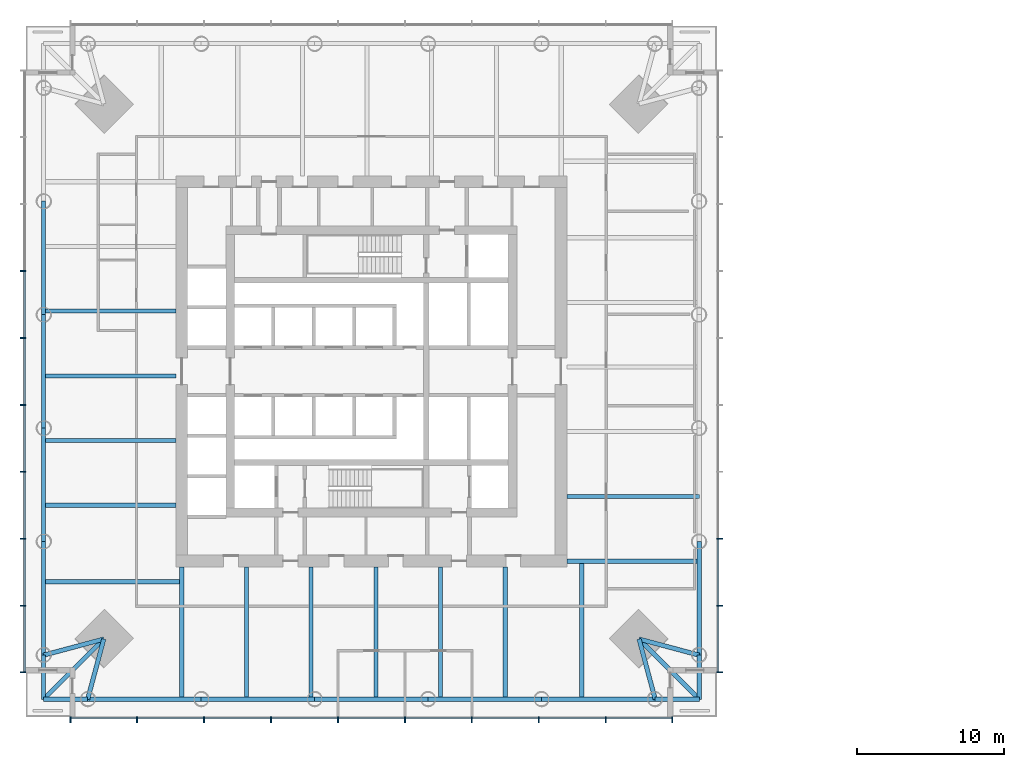
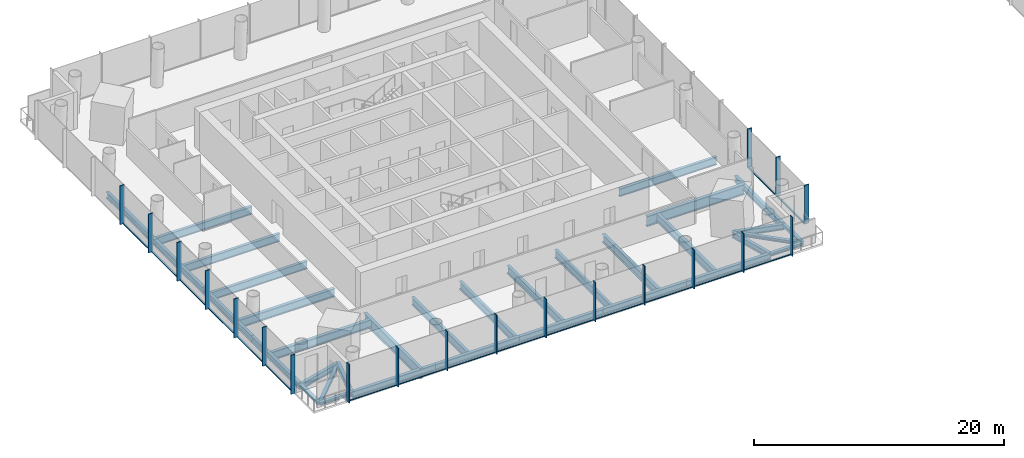
# One storey, part 2 of 18: 37 members, 34 beams, 3 elements without a shape of their own.
"""IFC4 building model written with IfcOpenShell, lengths in metres."""

from ifc_helpers import new_model, si_unit, direction, frame, origin, origin_2d, place, context, subcontext, project, spatial, rectangle, i_section, extrude, material, material_profile, profile_set, type_object, element, aggregate, save


model = new_model("IFC4")

# Units and contexts
model_context = context("Model", 3, precision=1e-05, world=origin(), true_north=direction((0.0, 1.0)))
body_context = subcontext(model_context, "Body", "Model", "MODEL_VIEW")
ifc_project = project(units=[si_unit("LENGTHUNIT", "METRE"), si_unit("AREAUNIT", "SQUARE_METRE"), si_unit("VOLUMEUNIT", "CUBIC_METRE"), si_unit("PLANEANGLEUNIT", "RADIAN"), si_unit("MASSUNIT", "GRAM", prefix="KILO")], contexts=[model_context])

# Site, building, storey
site_placement = place(None, origin())
site = spatial("IfcSite", under=ifc_project, at=site_placement, CompositionType="ELEMENT")
building_placement = place(site_placement, origin())
building = spatial("IfcBuilding", under=site, at=building_placement, Name="Ostroluk Exchange", CompositionType="ELEMENT")
storey_placement = place(building_placement, frame((0.0, 0.0, 74.199951171875)))
storey = spatial("IfcBuildingStorey", under=building, at=storey_placement, Name="L18", CompositionType="ELEMENT", Elevation=74.199951171875)

# Beams
ifc_material_1 = material(Name="Steel S355", Category="steel")
ifc_material_profile_1 = material_profile(ifc_material_1, i_section(OverallWidth=0.300048828125, OverallDepth=0.300048828125, WebThickness=0.010986328125, FlangeThickness=0.01904296875, FilletRadius=0.027099609375, at=origin_2d()), Name="HEB 300")
ifc_profile_set_1 = profile_set([ifc_material_profile_1], Name="Steel S355")
beam_type_1 = type_object("IfcBeamType", Name="Balcony beam HEB 300", PredefinedType="BEAM", material=ifc_profile_set_1)
for number, where, z_axis, x_axis, name in (
    (1, (22.699951171875, 26.699951171875, -0.329833984375), (0.0, -1.0, 0.0), (1.0, 0.0, 0.0), "T1 west balcony beam a"),
    (2, (25.699951171875, 23.699951171875, -0.329833984375), (-1.0, 0.0, 0.0), (0.0, -1.0, 0.0), "T1 west balcony beam b"),
):
    element("IfcBeam", number, at=place(storey_placement, frame(where, z_axis=z_axis, x_axis=x_axis)), inside=storey, type_object=beam_type_1, Name=name, PredefinedType="BEAM", context=body_context, shape_type="SweptSolid", body=[
        extrude(i_section(OverallWidth=0.300048828125, OverallDepth=0.300048828125, WebThickness=0.010986328125, FlangeThickness=0.01904296875, FilletRadius=0.027099609375, at=origin_2d()), origin(), (0.0, 0.0, 1.0), 3.0),
    ])
beam_1_placement = place(storey_placement, frame((26.800048828125, 27.800048828125, -0.329833984375), z_axis=(-0.707106781187, -0.707106781187, 0.0), x_axis=(0.707106781187, -0.707106781187, 0.0)))
element("IfcBeam", 3, at=beam_1_placement, inside=storey, type_object=beam_type_1, Name="T1 west balcony beam c", PredefinedType="BEAM", context=body_context, shape_type="SweptSolid", body=[
    extrude(i_section(OverallWidth=0.300048828125, OverallDepth=0.300048828125, WebThickness=0.010986328125, FlangeThickness=0.01904296875, FilletRadius=0.027099609375, at=origin_2d()), origin(), (0.0, 0.0, 1.0), 5.79833984375),
])
for number, where, z_axis, x_axis, name in (
    (4, (64.300048828125, 23.699951171875, -0.329833984375), (1.0, 0.0, 0.0), (0.0, 1.0, 0.0), "T1 south balcony beam a"),
    (5, (67.300048828125, 26.699951171875, -0.329833984375), (0.0, -1.0, 0.0), (1.0, 0.0, 0.0), "T1 south balcony beam b"),
):
    element("IfcBeam", number, at=place(storey_placement, frame(where, z_axis=z_axis, x_axis=x_axis)), inside=storey, type_object=beam_type_1, Name=name, PredefinedType="BEAM", context=body_context, shape_type="SweptSolid", body=[
        extrude(i_section(OverallWidth=0.300048828125, OverallDepth=0.300048828125, WebThickness=0.010986328125, FlangeThickness=0.01904296875, FilletRadius=0.027099609375, at=origin_2d()), origin(), (0.0, 0.0, 1.0), 3.0),
    ])
beam_2_placement = place(storey_placement, frame((63.199951171875, 27.800048828125, -0.329833984375), z_axis=(0.707106781187, -0.707106781187, 0.0), x_axis=(0.707106781187, 0.707106781187, 0.0)))
element("IfcBeam", 6, at=beam_2_placement, inside=storey, type_object=beam_type_1, Name="T1 south balcony beam c", PredefinedType="BEAM", context=body_context, shape_type="SweptSolid", body=[
    extrude(i_section(OverallWidth=0.300048828125, OverallDepth=0.300048828125, WebThickness=0.010986328125, FlangeThickness=0.01904296875, FilletRadius=0.027099609375, at=origin_2d()), origin(), (0.0, 0.0, 1.0), 5.79833984375),
])
ifc_material_2 = material(Name="Steel S355", Category="steel")
ifc_material_profile_2 = material_profile(ifc_material_2, i_section(OverallWidth=0.300048828125, OverallDepth=0.550048828125, WebThickness=0.014892578125, FlangeThickness=0.029052734375, FilletRadius=0.027099609375, at=origin_2d()), Name="HEB 550")
ifc_profile_set_2 = profile_set([ifc_material_profile_2], Name="Steel S355")
beam_type_2 = type_object("IfcBeamType", Name="Corner edge beam HEB 550", PredefinedType="SPANDREL", material=ifc_profile_set_2)
for number, where, z_axis, x_axis, name in (
    (7, (26.800048828125, 27.800048828125, -0.454833984375), (-0.965838624319, -0.259144268261, 0.0), (0.259144268261, -0.965838624319, 0.0), "T1 west corner edge beam a"),
    (8, (26.800048828125, 27.800048828125, -0.454833984375), (-0.259144268261, -0.965838624319, 0.0), (0.965838624319, -0.259144268261, 0.0), "T1 west corner edge beam b"),
    (9, (63.199951171875, 27.800048828125, -0.454833984375), (0.259144268261, -0.965838624319, 0.0), (0.965838624319, 0.259144268261, 0.0), "T1 south corner edge beam a"),
    (10, (63.199951171875, 27.800048828125, -0.454833984375), (0.965838624319, -0.259144268261, 0.0), (0.259144268261, 0.965838624319, 0.0), "T1 south corner edge beam b"),
):
    element("IfcBeam", number, at=place(storey_placement, frame(where, z_axis=z_axis, x_axis=x_axis)), inside=storey, type_object=beam_type_2, Name=name, PredefinedType="SPANDREL", context=body_context, shape_type="SweptSolid", body=[
        extrude(i_section(OverallWidth=0.300048828125, OverallDepth=0.550048828125, WebThickness=0.014892578125, FlangeThickness=0.029052734375, FilletRadius=0.027099609375, at=origin_2d()), origin(), (0.0, 0.0, 1.0), 4.2451171875),
    ])
ifc_material_3 = material(Name="Steel S355", Category="steel")
ifc_material_profile_3 = material_profile(ifc_material_3, i_section(OverallWidth=0.302978515625, OverallDepth=0.81396484375, WebThickness=0.02099609375, FlangeThickness=0.0400390625, FilletRadius=0.030029296875, at=origin_2d()), Name="HEM 800")
ifc_profile_set_3 = profile_set([ifc_material_profile_3], Name="Steel S355")
beam_type_3 = type_object("IfcBeamType", Name="Floor beam HEM 800", PredefinedType="BEAM", material=ifc_profile_set_3)
beam_3_placement = place(storey_placement, frame((31.699951171875, 36.89990234375, -0.5869140625), z_axis=(-1.0, 0.0, 0.0), x_axis=(0.0, -1.0, 0.0)))
element("IfcBeam", 11, at=beam_3_placement, inside=storey, type_object=beam_type_3, Name="T1 west floor beam 5", PredefinedType="BEAM", context=body_context, shape_type="SweptSolid", body=[
    extrude(i_section(OverallWidth=0.302978515625, OverallDepth=0.81396484375, WebThickness=0.02099609375, FlangeThickness=0.0400390625, FilletRadius=0.030029296875, at=origin_2d()), origin(), (0.0, 0.0, 1.0), 9.0),
])
beam_4_placement = place(storey_placement, frame((32.10009765625, 31.699951171875, -0.5869140625), z_axis=(-1.0, 0.0, 0.0), x_axis=(0.0, -1.0, 0.0)))
element("IfcBeam", 12, at=beam_4_placement, inside=storey, type_object=beam_type_3, Name="T1 west floor beam 6", PredefinedType="BEAM", context=body_context, shape_type="SweptSolid", body=[
    extrude(i_section(OverallWidth=0.302978515625, OverallDepth=0.81396484375, WebThickness=0.02099609375, FlangeThickness=0.0400390625, FilletRadius=0.030029296875, at=origin_2d()), origin(), (0.0, 0.0, 1.0), 9.400146484375),
])
beam_5_placement = place(storey_placement, frame((54.10009765625, 32.699951171875, -0.5869140625), z_axis=(0.0, -1.0, 0.0), x_axis=(1.0, 0.0, 0.0)))
element("IfcBeam", 13, at=beam_5_placement, inside=storey, type_object=beam_type_3, Name="T1 south floor beam 5", PredefinedType="BEAM", context=body_context, shape_type="SweptSolid", body=[
    extrude(i_section(OverallWidth=0.302978515625, OverallDepth=0.81396484375, WebThickness=0.02099609375, FlangeThickness=0.0400390625, FilletRadius=0.030029296875, at=origin_2d()), origin(), (0.0, 0.0, 1.0), 9.0),
])
beam_6_placement = place(storey_placement, frame((59.300048828125, 33.10009765625, -0.5869140625), z_axis=(0.0, -1.0, 0.0), x_axis=(1.0, 0.0, 0.0)))
element("IfcBeam", 14, at=beam_6_placement, inside=storey, type_object=beam_type_3, Name="T1 south floor beam 6", PredefinedType="BEAM", context=body_context, shape_type="SweptSolid", body=[
    extrude(i_section(OverallWidth=0.302978515625, OverallDepth=0.81396484375, WebThickness=0.02099609375, FlangeThickness=0.0400390625, FilletRadius=0.030029296875, at=origin_2d()), origin(), (0.0, 0.0, 1.0), 9.400146484375),
])
ifc_material_4 = material(Name="Steel S355", Category="steel")
ifc_material_profile_4 = material_profile(ifc_material_4, i_section(OverallWidth=0.26806640625, OverallDepth=0.77001953125, WebThickness=0.015625, FlangeThickness=0.025390625, FilletRadius=0.01708984375, at=origin_2d()), Name="IPE 750x196")
ifc_profile_set_4 = profile_set([ifc_material_profile_4], Name="Steel S355")
beam_type_4 = type_object("IfcBeamType", Name="Floor beam IPE 750x196", PredefinedType="BEAM", material=ifc_profile_set_4)
for number, where, z_axis, x_axis, name in (
    (15, (58.300048828125, 37.5, -0.56494140625), (1.0, 0.0, 0.0), (0.0, 1.0, 0.0), "T1 east floor beam 1"),
    (16, (31.699951171875, 50.10009765625, -0.56494140625), (-1.0, 0.0, 0.0), (0.0, -1.0, 0.0), "T1 west floor beam 2"),
    (17, (31.699951171875, 45.699951171875, -0.56494140625), (-1.0, 0.0, 0.0), (0.0, -1.0, 0.0), "T1 west floor beam 3"),
    (18, (31.699951171875, 41.300048828125, -0.56494140625), (-1.0, 0.0, 0.0), (0.0, -1.0, 0.0), "T1 west floor beam 4"),
    (19, (36.5, 32.699951171875, -0.56494140625), (0.0, -1.0, 0.0), (1.0, 0.0, 0.0), "T1 south floor beam 1"),
    (20, (40.89990234375, 32.699951171875, -0.56494140625), (0.0, -1.0, 0.0), (1.0, 0.0, 0.0), "T1 south floor beam 2"),
    (21, (45.300048828125, 32.699951171875, -0.56494140625), (0.0, -1.0, 0.0), (1.0, 0.0, 0.0), "T1 south floor beam 3"),
    (22, (49.699951171875, 32.699951171875, -0.56494140625), (0.0, -1.0, 0.0), (1.0, 0.0, 0.0), "T1 south floor beam 4"),
):
    element("IfcBeam", number, at=place(storey_placement, frame(where, z_axis=z_axis, x_axis=x_axis)), inside=storey, type_object=beam_type_4, Name=name, PredefinedType="BEAM", context=body_context, shape_type="SweptSolid", body=[
        extrude(i_section(OverallWidth=0.26806640625, OverallDepth=0.77001953125, WebThickness=0.015625, FlangeThickness=0.025390625, FilletRadius=0.01708984375, at=origin_2d()), origin(), (0.0, 0.0, 1.0), 9.0),
    ])
ifc_material_5 = material(Name="Steel S355", Category="steel")
ifc_material_profile_5 = material_profile(ifc_material_5, i_section(OverallWidth=0.302001953125, OverallDepth=1.008056640625, WebThickness=0.02099609375, FlangeThickness=0.0400390625, FilletRadius=0.030029296875, at=origin_2d()), Name="HEM 1000")
ifc_profile_set_5 = profile_set([ifc_material_profile_5], Name="Steel S355")
beam_type_5 = type_object("IfcBeamType", Name="Girder HEM 1000", PredefinedType="BEAM", material=ifc_profile_set_5)
for number, where, z_axis, x_axis, name in (
    (23, (32.10009765625, 32.699951171875, -0.683837890625), (0.0, -1.0, 0.0), (1.0, 0.0, 0.0), "T1 west girder"),
    (24, (58.300048828125, 33.10009765625, -0.683837890625), (1.0, 0.0, 0.0), (0.0, 1.0, 0.0), "T1 south girder"),
):
    element("IfcBeam", number, at=place(storey_placement, frame(where, z_axis=z_axis, x_axis=x_axis)), inside=storey, type_object=beam_type_5, Name=name, PredefinedType="BEAM", context=body_context, shape_type="SweptSolid", body=[
        extrude(i_section(OverallWidth=0.302001953125, OverallDepth=1.008056640625, WebThickness=0.02099609375, FlangeThickness=0.0400390625, FilletRadius=0.030029296875, at=origin_2d()), origin(), (0.0, 0.0, 1.0), 9.0),
    ])
ifc_material_6 = material(Name="Steel S355", Category="steel")
ifc_material_profile_6 = material_profile(ifc_material_6, i_section(OverallWidth=0.300048828125, OverallDepth=0.60009765625, WebThickness=0.015380859375, FlangeThickness=0.030029296875, FilletRadius=0.027099609375, at=origin_2d()), Name="HEB 600")
ifc_profile_set_6 = profile_set([ifc_material_profile_6], Name="Steel S355")
beam_type_6 = type_object("IfcBeamType", Name="Moment-connected edge beam HEB 600", PredefinedType="SPANDREL", material=ifc_profile_set_6)
for number, where, z_axis, x_axis, name in (
    (25, (67.300048828125, 26.699951171875, -0.47998046875), (0.0, 1.0, 0.0), (-1.0, 0.0, 0.0), "T1 east edge beam 1"),
    (26, (22.699951171875, 57.580078125, -0.47998046875), (0.0, -1.0, 0.0), (1.0, 0.0, 0.0), "T1 west edge beam 2"),
):
    element("IfcBeam", number, at=place(storey_placement, frame(where, z_axis=z_axis, x_axis=x_axis)), inside=storey, type_object=beam_type_6, Name=name, PredefinedType="SPANDREL", context=body_context, shape_type="SweptSolid", body=[
        extrude(i_section(OverallWidth=0.300048828125, OverallDepth=0.60009765625, WebThickness=0.015380859375, FlangeThickness=0.030029296875, FilletRadius=0.027099609375, at=origin_2d()), origin(), (0.0, 0.0, 1.0), 7.719970703125),
    ])
beam_7_placement = place(storey_placement, frame((22.699951171875, 49.860107421875, -0.47998046875), z_axis=(0.0, -1.0, 0.0), x_axis=(1.0, 0.0, 0.0)))
element("IfcBeam", 27, at=beam_7_placement, inside=storey, type_object=beam_type_6, Name="T1 west edge beam 3", PredefinedType="SPANDREL", context=body_context, shape_type="SweptSolid", body=[
    extrude(i_section(OverallWidth=0.300048828125, OverallDepth=0.60009765625, WebThickness=0.015380859375, FlangeThickness=0.030029296875, FilletRadius=0.027099609375, at=origin_2d()), origin(), (0.0, 0.0, 1.0), 7.72021484375),
])
for number, where, z_axis, x_axis, name in (
    (28, (22.699951171875, 42.139892578125, -0.47998046875), (0.0, -1.0, 0.0), (1.0, 0.0, 0.0), "T1 west edge beam 4"),
    (29, (22.699951171875, 34.419921875, -0.47998046875), (0.0, -1.0, 0.0), (1.0, 0.0, 0.0), "T1 west edge beam 5"),
    (30, (25.699951171875, 23.699951171875, -0.47998046875), (1.0, 0.0, 0.0), (0.0, 1.0, 0.0), "T1 south edge beam 1"),
    (31, (33.419921875, 23.699951171875, -0.47998046875), (1.0, 0.0, 0.0), (0.0, 1.0, 0.0), "T1 south edge beam 2"),
):
    element("IfcBeam", number, at=place(storey_placement, frame(where, z_axis=z_axis, x_axis=x_axis)), inside=storey, type_object=beam_type_6, Name=name, PredefinedType="SPANDREL", context=body_context, shape_type="SweptSolid", body=[
        extrude(i_section(OverallWidth=0.300048828125, OverallDepth=0.60009765625, WebThickness=0.015380859375, FlangeThickness=0.030029296875, FilletRadius=0.027099609375, at=origin_2d()), origin(), (0.0, 0.0, 1.0), 7.719970703125),
    ])
beam_8_placement = place(storey_placement, frame((41.139892578125, 23.699951171875, -0.47998046875), z_axis=(1.0, 0.0, 0.0), x_axis=(0.0, 1.0, 0.0)))
element("IfcBeam", 32, at=beam_8_placement, inside=storey, type_object=beam_type_6, Name="T1 south edge beam 3", PredefinedType="SPANDREL", context=body_context, shape_type="SweptSolid", body=[
    extrude(i_section(OverallWidth=0.300048828125, OverallDepth=0.60009765625, WebThickness=0.015380859375, FlangeThickness=0.030029296875, FilletRadius=0.027099609375, at=origin_2d()), origin(), (0.0, 0.0, 1.0), 7.72021484375),
])
for number, where, z_axis, x_axis, name in (
    (33, (48.860107421875, 23.699951171875, -0.47998046875), (1.0, 0.0, 0.0), (0.0, 1.0, 0.0), "T1 south edge beam 4"),
    (34, (56.580078125, 23.699951171875, -0.47998046875), (1.0, 0.0, 0.0), (0.0, 1.0, 0.0), "T1 south edge beam 5"),
):
    element("IfcBeam", number, at=place(storey_placement, frame(where, z_axis=z_axis, x_axis=x_axis)), inside=storey, type_object=beam_type_6, Name=name, PredefinedType="SPANDREL", context=body_context, shape_type="SweptSolid", body=[
        extrude(i_section(OverallWidth=0.300048828125, OverallDepth=0.60009765625, WebThickness=0.015380859375, FlangeThickness=0.030029296875, FilletRadius=0.027099609375, at=origin_2d()), origin(), (0.0, 0.0, 1.0), 7.719970703125),
    ])

# Curtain wall, members
ifc_material_7 = material(Name="Laminated clear glass", Category="glass")
curtain_wall_type = type_object("IfcCurtainWallType", Name="Office tower facade", PredefinedType="USERDEFINED", material=ifc_material_7)
curtain_wall_1_placement = place(storey_placement, origin())
curtain_wall_1 = element("IfcCurtainWall", 35, at=curtain_wall_1_placement, inside=storey, type_object=curtain_wall_type, Name="Office tower south facade L18", ObjectType="UNITISED CURTAIN WALL", PredefinedType="USERDEFINED")
ifc_material_8 = material(Name="Aluminium mullion", Category="aluminium")
ifc_material_profile_7 = material_profile(ifc_material_8, rectangle(XDim=0.14990234375, YDim=0.080078125, at=origin_2d()), Name="Sill transom 80 x 150")
ifc_profile_set_7 = profile_set([ifc_material_profile_7], Name="Aluminium mullion")
member_type_1 = type_object("IfcMemberType", Name="Sill transom 80 x 150", PredefinedType="USERDEFINED", material=ifc_profile_set_7)
member_1_placement = place(storey_placement, frame((24.580078125, 22.425048828125, 0.0400390625), z_axis=(1.0, 0.0, 0.0), x_axis=(0.0, 1.0, 0.0)))
member_1 = element("IfcMember", 36, at=member_1_placement, type_object=member_type_1, Name="CW-O1 transom 1.1", ObjectType="TRANSOM", PredefinedType="USERDEFINED", context=body_context, shape_type="SweptSolid", body=[
    extrude(rectangle(XDim=0.14990234375, YDim=0.080078125, at=origin_2d()), origin(), (0.0, 0.0, 1.0), 4.435546875),
])
member_2_placement = place(storey_placement, frame((29.095458984375, 22.425048828125, 0.0400390625), z_axis=(1.0, 0.0, 0.0), x_axis=(0.0, 1.0, 0.0)))
member_2 = element("IfcMember", 37, at=member_2_placement, type_object=member_type_1, Name="CW-O1 transom 2.1", ObjectType="TRANSOM", PredefinedType="USERDEFINED", context=body_context, shape_type="SweptSolid", body=[
    extrude(rectangle(XDim=0.14990234375, YDim=0.080078125, at=origin_2d()), origin(), (0.0, 0.0, 1.0), 4.4755859375),
])
member_3_placement = place(storey_placement, frame((33.651123046875, 22.425048828125, 0.0400390625), z_axis=(1.0, 0.0, 0.0), x_axis=(0.0, 1.0, 0.0)))
member_3 = element("IfcMember", 38, at=member_3_placement, type_object=member_type_1, Name="CW-O1 transom 3.1", ObjectType="TRANSOM", PredefinedType="USERDEFINED", context=body_context, shape_type="SweptSolid", body=[
    extrude(rectangle(XDim=0.14990234375, YDim=0.080078125, at=origin_2d()), origin(), (0.0, 0.0, 1.0), 4.4755859375),
])
member_4_placement = place(storey_placement, frame((38.206787109375, 22.425048828125, 0.0400390625), z_axis=(1.0, 0.0, 0.0), x_axis=(0.0, 1.0, 0.0)))
member_4 = element("IfcMember", 39, at=member_4_placement, type_object=member_type_1, Name="CW-O1 transom 4.1", ObjectType="TRANSOM", PredefinedType="USERDEFINED", context=body_context, shape_type="SweptSolid", body=[
    extrude(rectangle(XDim=0.14990234375, YDim=0.080078125, at=origin_2d()), origin(), (0.0, 0.0, 1.0), 4.475341796875),
])
member_5_placement = place(storey_placement, frame((42.76220703125, 22.425048828125, 0.0400390625), z_axis=(1.0, 0.0, 0.0), x_axis=(0.0, 1.0, 0.0)))
member_5 = element("IfcMember", 40, at=member_5_placement, type_object=member_type_1, Name="CW-O1 transom 5.1", ObjectType="TRANSOM", PredefinedType="USERDEFINED", context=body_context, shape_type="SweptSolid", body=[
    extrude(rectangle(XDim=0.14990234375, YDim=0.080078125, at=origin_2d()), origin(), (0.0, 0.0, 1.0), 4.4755859375),
])
member_6_placement = place(storey_placement, frame((47.31787109375, 22.425048828125, 0.0400390625), z_axis=(1.0, 0.0, 0.0), x_axis=(0.0, 1.0, 0.0)))
member_6 = element("IfcMember", 41, at=member_6_placement, type_object=member_type_1, Name="CW-O1 transom 6.1", ObjectType="TRANSOM", PredefinedType="USERDEFINED", context=body_context, shape_type="SweptSolid", body=[
    extrude(rectangle(XDim=0.14990234375, YDim=0.080078125, at=origin_2d()), origin(), (0.0, 0.0, 1.0), 4.475341796875),
])
member_7_placement = place(storey_placement, frame((51.873291015625, 22.425048828125, 0.0400390625), z_axis=(1.0, 0.0, 0.0), x_axis=(0.0, 1.0, 0.0)))
member_7 = element("IfcMember", 42, at=member_7_placement, type_object=member_type_1, Name="CW-O1 transom 7.1", ObjectType="TRANSOM", PredefinedType="USERDEFINED", context=body_context, shape_type="SweptSolid", body=[
    extrude(rectangle(XDim=0.14990234375, YDim=0.080078125, at=origin_2d()), origin(), (0.0, 0.0, 1.0), 4.4755859375),
])
member_8_placement = place(storey_placement, frame((56.428955078125, 22.425048828125, 0.0400390625), z_axis=(1.0, 0.0, 0.0), x_axis=(0.0, 1.0, 0.0)))
member_8 = element("IfcMember", 43, at=member_8_placement, type_object=member_type_1, Name="CW-O1 transom 8.1", ObjectType="TRANSOM", PredefinedType="USERDEFINED", context=body_context, shape_type="SweptSolid", body=[
    extrude(rectangle(XDim=0.14990234375, YDim=0.080078125, at=origin_2d()), origin(), (0.0, 0.0, 1.0), 4.4755859375),
])
member_9_placement = place(storey_placement, frame((60.984375, 22.425048828125, 0.0400390625), z_axis=(1.0, 0.0, 0.0), x_axis=(0.0, 1.0, 0.0)))
member_9 = element("IfcMember", 44, at=member_9_placement, type_object=member_type_1, Name="CW-O1 transom 9.1", ObjectType="TRANSOM", PredefinedType="USERDEFINED", context=body_context, shape_type="SweptSolid", body=[
    extrude(rectangle(XDim=0.14990234375, YDim=0.080078125, at=origin_2d()), origin(), (0.0, 0.0, 1.0), 4.435546875),
])

curtain_wall_2_placement = place(storey_placement, origin())
curtain_wall_2 = element("IfcCurtainWall", 45, at=curtain_wall_2_placement, inside=storey, type_object=curtain_wall_type, Name="Office tower east facade L18", ObjectType="UNITISED CURTAIN WALL", PredefinedType="USERDEFINED")
member_10_placement = place(storey_placement, frame((68.574951171875, 25.580078125, 0.0400390625), z_axis=(0.0, 1.0, 0.0), x_axis=(-1.0, 0.0, 0.0)))
member_10 = element("IfcMember", 46, at=member_10_placement, type_object=member_type_1, Name="CW-O1 transom 1.1", ObjectType="TRANSOM", PredefinedType="USERDEFINED", context=body_context, shape_type="SweptSolid", body=[
    extrude(rectangle(XDim=0.14990234375, YDim=0.080078125, at=origin_2d()), origin(), (0.0, 0.0, 1.0), 4.435546875),
])
member_11_placement = place(storey_placement, frame((68.574951171875, 30.095458984375, 0.0400390625), z_axis=(0.0, 1.0, 0.0), x_axis=(-1.0, 0.0, 0.0)))
member_11 = element("IfcMember", 47, at=member_11_placement, type_object=member_type_1, Name="CW-O1 transom 2.1", ObjectType="TRANSOM", PredefinedType="USERDEFINED", context=body_context, shape_type="SweptSolid", body=[
    extrude(rectangle(XDim=0.14990234375, YDim=0.080078125, at=origin_2d()), origin(), (0.0, 0.0, 1.0), 4.4755859375),
])

curtain_wall_3_placement = place(storey_placement, origin())
curtain_wall_3 = element("IfcCurtainWall", 48, at=curtain_wall_3_placement, inside=storey, type_object=curtain_wall_type, Name="Office tower west facade L18", ObjectType="UNITISED CURTAIN WALL", PredefinedType="USERDEFINED")
member_12_placement = place(storey_placement, frame((21.425048828125, 52.793212890625, 0.0400390625), z_axis=(0.0, -1.0, 0.0), x_axis=(1.0, 0.0, 0.0)))
member_12 = element("IfcMember", 49, at=member_12_placement, type_object=member_type_1, Name="CW-O1 transom 4.1", ObjectType="TRANSOM", PredefinedType="USERDEFINED", context=body_context, shape_type="SweptSolid", body=[
    extrude(rectangle(XDim=0.14990234375, YDim=0.080078125, at=origin_2d()), origin(), (0.0, 0.0, 1.0), 4.475341796875),
])
member_13_placement = place(storey_placement, frame((21.425048828125, 48.23779296875, 0.0400390625), z_axis=(0.0, -1.0, 0.0), x_axis=(1.0, 0.0, 0.0)))
member_13 = element("IfcMember", 50, at=member_13_placement, type_object=member_type_1, Name="CW-O1 transom 5.1", ObjectType="TRANSOM", PredefinedType="USERDEFINED", context=body_context, shape_type="SweptSolid", body=[
    extrude(rectangle(XDim=0.14990234375, YDim=0.080078125, at=origin_2d()), origin(), (0.0, 0.0, 1.0), 4.4755859375),
])
member_14_placement = place(storey_placement, frame((21.425048828125, 43.68212890625, 0.0400390625), z_axis=(0.0, -1.0, 0.0), x_axis=(1.0, 0.0, 0.0)))
member_14 = element("IfcMember", 51, at=member_14_placement, type_object=member_type_1, Name="CW-O1 transom 6.1", ObjectType="TRANSOM", PredefinedType="USERDEFINED", context=body_context, shape_type="SweptSolid", body=[
    extrude(rectangle(XDim=0.14990234375, YDim=0.080078125, at=origin_2d()), origin(), (0.0, 0.0, 1.0), 4.475341796875),
])
member_15_placement = place(storey_placement, frame((21.425048828125, 39.126708984375, 0.0400390625), z_axis=(0.0, -1.0, 0.0), x_axis=(1.0, 0.0, 0.0)))
member_15 = element("IfcMember", 52, at=member_15_placement, type_object=member_type_1, Name="CW-O1 transom 7.1", ObjectType="TRANSOM", PredefinedType="USERDEFINED", context=body_context, shape_type="SweptSolid", body=[
    extrude(rectangle(XDim=0.14990234375, YDim=0.080078125, at=origin_2d()), origin(), (0.0, 0.0, 1.0), 4.4755859375),
])
member_16_placement = place(storey_placement, frame((21.425048828125, 34.571044921875, 0.0400390625), z_axis=(0.0, -1.0, 0.0), x_axis=(1.0, 0.0, 0.0)))
member_16 = element("IfcMember", 53, at=member_16_placement, type_object=member_type_1, Name="CW-O1 transom 8.1", ObjectType="TRANSOM", PredefinedType="USERDEFINED", context=body_context, shape_type="SweptSolid", body=[
    extrude(rectangle(XDim=0.14990234375, YDim=0.080078125, at=origin_2d()), origin(), (0.0, 0.0, 1.0), 4.4755859375),
])
member_17_placement = place(storey_placement, frame((21.425048828125, 30.015625, 0.0400390625), z_axis=(0.0, -1.0, 0.0), x_axis=(1.0, 0.0, 0.0)))
member_17 = element("IfcMember", 54, at=member_17_placement, type_object=member_type_1, Name="CW-O1 transom 9.1", ObjectType="TRANSOM", PredefinedType="USERDEFINED", context=body_context, shape_type="SweptSolid", body=[
    extrude(rectangle(XDim=0.14990234375, YDim=0.080078125, at=origin_2d()), origin(), (0.0, 0.0, 1.0), 4.435546875),
])

# Member
ifc_material_9 = material(Name="Aluminium mullion with limestone facing", Category="masonry")
ifc_material_profile_8 = material_profile(ifc_material_9, rectangle(XDim=0.39990234375, YDim=0.080078125, at=origin_2d()), Name="Tracery mullion 80 x 400")
ifc_profile_set_8 = profile_set([ifc_material_profile_8], Name="Aluminium mullion with limestone facing")
member_type_2 = type_object("IfcMemberType", Name="Tracery mullion 80 x 400", PredefinedType="MULLION", material=ifc_profile_set_8)
member_18_placement = place(storey_placement, frame((24.5400390625, 22.300048828125, 0.0), z_axis=(0.0, 0.0, 1.0), x_axis=(0.0, 1.0, 0.0)))
member_18 = element("IfcMember", 55, at=member_18_placement, type_object=member_type_2, Name="CW-O1 mullion 1", PredefinedType="MULLION", context=body_context, shape_type="SweptSolid", body=[
    extrude(rectangle(XDim=0.39990234375, YDim=0.080078125, at=origin_2d()), origin(), (0.0, 0.0, 1.0), 3.800048828125),
])

member_19_placement = place(storey_placement, frame((29.0556640625, 22.300048828125, 0.0), z_axis=(0.0, 0.0, 1.0), x_axis=(0.0, 1.0, 0.0)))
member_19 = element("IfcMember", 56, at=member_19_placement, type_object=member_type_2, Name="CW-O1 mullion 2", PredefinedType="MULLION", context=body_context, shape_type="SweptSolid", body=[
    extrude(rectangle(XDim=0.39990234375, YDim=0.080078125, at=origin_2d()), origin(), (0.0, 0.0, 1.0), 3.800048828125),
])

member_20_placement = place(storey_placement, frame((33.611083984375, 22.300048828125, 0.0), z_axis=(0.0, 0.0, 1.0), x_axis=(0.0, 1.0, 0.0)))
member_20 = element("IfcMember", 57, at=member_20_placement, type_object=member_type_2, Name="CW-O1 mullion 3", PredefinedType="MULLION", context=body_context, shape_type="SweptSolid", body=[
    extrude(rectangle(XDim=0.39990234375, YDim=0.080078125, at=origin_2d()), origin(), (0.0, 0.0, 1.0), 3.800048828125),
])

member_21_placement = place(storey_placement, frame((38.166748046875, 22.300048828125, 0.0), z_axis=(0.0, 0.0, 1.0), x_axis=(0.0, 1.0, 0.0)))
member_21 = element("IfcMember", 58, at=member_21_placement, type_object=member_type_2, Name="CW-O1 mullion 4", PredefinedType="MULLION", context=body_context, shape_type="SweptSolid", body=[
    extrude(rectangle(XDim=0.39990234375, YDim=0.080078125, at=origin_2d()), origin(), (0.0, 0.0, 1.0), 3.800048828125),
])

member_22_placement = place(storey_placement, frame((42.72216796875, 22.300048828125, 0.0), z_axis=(0.0, 0.0, 1.0), x_axis=(0.0, 1.0, 0.0)))
member_22 = element("IfcMember", 59, at=member_22_placement, type_object=member_type_2, Name="CW-O1 mullion 5", PredefinedType="MULLION", context=body_context, shape_type="SweptSolid", body=[
    extrude(rectangle(XDim=0.39990234375, YDim=0.080078125, at=origin_2d()), origin(), (0.0, 0.0, 1.0), 3.800048828125),
])

member_23_placement = place(storey_placement, frame((47.27783203125, 22.300048828125, 0.0), z_axis=(0.0, 0.0, 1.0), x_axis=(0.0, 1.0, 0.0)))
member_23 = element("IfcMember", 60, at=member_23_placement, type_object=member_type_2, Name="CW-O1 mullion 6", PredefinedType="MULLION", context=body_context, shape_type="SweptSolid", body=[
    extrude(rectangle(XDim=0.39990234375, YDim=0.080078125, at=origin_2d()), origin(), (0.0, 0.0, 1.0), 3.800048828125),
])

member_24_placement = place(storey_placement, frame((51.833251953125, 22.300048828125, 0.0), z_axis=(0.0, 0.0, 1.0), x_axis=(0.0, 1.0, 0.0)))
member_24 = element("IfcMember", 61, at=member_24_placement, type_object=member_type_2, Name="CW-O1 mullion 7", PredefinedType="MULLION", context=body_context, shape_type="SweptSolid", body=[
    extrude(rectangle(XDim=0.39990234375, YDim=0.080078125, at=origin_2d()), origin(), (0.0, 0.0, 1.0), 3.800048828125),
])

member_25_placement = place(storey_placement, frame((56.388916015625, 22.300048828125, 0.0), z_axis=(0.0, 0.0, 1.0), x_axis=(0.0, 1.0, 0.0)))
member_25 = element("IfcMember", 62, at=member_25_placement, type_object=member_type_2, Name="CW-O1 mullion 8", PredefinedType="MULLION", context=body_context, shape_type="SweptSolid", body=[
    extrude(rectangle(XDim=0.39990234375, YDim=0.080078125, at=origin_2d()), origin(), (0.0, 0.0, 1.0), 3.800048828125),
])

member_26_placement = place(storey_placement, frame((60.9443359375, 22.300048828125, 0.0), z_axis=(0.0, 0.0, 1.0), x_axis=(0.0, 1.0, 0.0)))
member_26 = element("IfcMember", 63, at=member_26_placement, type_object=member_type_2, Name="CW-O1 mullion 9", PredefinedType="MULLION", context=body_context, shape_type="SweptSolid", body=[
    extrude(rectangle(XDim=0.39990234375, YDim=0.080078125, at=origin_2d()), origin(), (0.0, 0.0, 1.0), 3.800048828125),
])

member_27_placement = place(storey_placement, frame((65.4599609375, 22.300048828125, 0.0), z_axis=(0.0, 0.0, 1.0), x_axis=(0.0, 1.0, 0.0)))
member_27 = element("IfcMember", 64, at=member_27_placement, type_object=member_type_2, Name="CW-O1 mullion 10", PredefinedType="MULLION", context=body_context, shape_type="SweptSolid", body=[
    extrude(rectangle(XDim=0.39990234375, YDim=0.080078125, at=origin_2d()), origin(), (0.0, 0.0, 1.0), 3.800048828125),
])

aggregate(curtain_wall_1, [member_18, member_19, member_20, member_21, member_22, member_23, member_24, member_25, member_26, member_27, member_1, member_2, member_3, member_4, member_5, member_6, member_7, member_8, member_9])

member_28_placement = place(storey_placement, frame((68.699951171875, 25.5400390625, 0.0), z_axis=(0.0, 0.0, 1.0), x_axis=(-1.0, 0.0, 0.0)))
member_28 = element("IfcMember", 65, at=member_28_placement, type_object=member_type_2, Name="CW-O1 mullion 1", PredefinedType="MULLION", context=body_context, shape_type="SweptSolid", body=[
    extrude(rectangle(XDim=0.39990234375, YDim=0.080078125, at=origin_2d()), origin(), (0.0, 0.0, 1.0), 3.800048828125),
])

member_29_placement = place(storey_placement, frame((68.699951171875, 30.0556640625, 0.0), z_axis=(0.0, 0.0, 1.0), x_axis=(-1.0, 0.0, 0.0)))
member_29 = element("IfcMember", 66, at=member_29_placement, type_object=member_type_2, Name="CW-O1 mullion 2", PredefinedType="MULLION", context=body_context, shape_type="SweptSolid", body=[
    extrude(rectangle(XDim=0.39990234375, YDim=0.080078125, at=origin_2d()), origin(), (0.0, 0.0, 1.0), 3.800048828125),
])

member_30_placement = place(storey_placement, frame((68.699951171875, 34.611083984375, 0.0), z_axis=(0.0, 0.0, 1.0), x_axis=(-1.0, 0.0, 0.0)))
member_30 = element("IfcMember", 67, at=member_30_placement, type_object=member_type_2, Name="CW-O1 mullion 3", PredefinedType="MULLION", context=body_context, shape_type="SweptSolid", body=[
    extrude(rectangle(XDim=0.39990234375, YDim=0.080078125, at=origin_2d()), origin(), (0.0, 0.0, 1.0), 3.800048828125),
])

aggregate(curtain_wall_2, [member_28, member_29, member_30, member_10, member_11])

member_31_placement = place(storey_placement, frame((21.300048828125, 52.833251953125, 0.0), z_axis=(0.0, 0.0, 1.0), x_axis=(1.0, 0.0, 0.0)))
member_31 = element("IfcMember", 68, at=member_31_placement, type_object=member_type_2, Name="CW-O1 mullion 4", PredefinedType="MULLION", context=body_context, shape_type="SweptSolid", body=[
    extrude(rectangle(XDim=0.39990234375, YDim=0.080078125, at=origin_2d()), origin(), (0.0, 0.0, 1.0), 3.800048828125),
])

member_32_placement = place(storey_placement, frame((21.300048828125, 48.27783203125, 0.0), z_axis=(0.0, 0.0, 1.0), x_axis=(1.0, 0.0, 0.0)))
member_32 = element("IfcMember", 69, at=member_32_placement, type_object=member_type_2, Name="CW-O1 mullion 5", PredefinedType="MULLION", context=body_context, shape_type="SweptSolid", body=[
    extrude(rectangle(XDim=0.39990234375, YDim=0.080078125, at=origin_2d()), origin(), (0.0, 0.0, 1.0), 3.800048828125),
])

member_33_placement = place(storey_placement, frame((21.300048828125, 43.72216796875, 0.0), z_axis=(0.0, 0.0, 1.0), x_axis=(1.0, 0.0, 0.0)))
member_33 = element("IfcMember", 70, at=member_33_placement, type_object=member_type_2, Name="CW-O1 mullion 6", PredefinedType="MULLION", context=body_context, shape_type="SweptSolid", body=[
    extrude(rectangle(XDim=0.39990234375, YDim=0.080078125, at=origin_2d()), origin(), (0.0, 0.0, 1.0), 3.800048828125),
])

member_34_placement = place(storey_placement, frame((21.300048828125, 39.166748046875, 0.0), z_axis=(0.0, 0.0, 1.0), x_axis=(1.0, 0.0, 0.0)))
member_34 = element("IfcMember", 71, at=member_34_placement, type_object=member_type_2, Name="CW-O1 mullion 7", PredefinedType="MULLION", context=body_context, shape_type="SweptSolid", body=[
    extrude(rectangle(XDim=0.39990234375, YDim=0.080078125, at=origin_2d()), origin(), (0.0, 0.0, 1.0), 3.800048828125),
])

member_35_placement = place(storey_placement, frame((21.300048828125, 34.611083984375, 0.0), z_axis=(0.0, 0.0, 1.0), x_axis=(1.0, 0.0, 0.0)))
member_35 = element("IfcMember", 72, at=member_35_placement, type_object=member_type_2, Name="CW-O1 mullion 8", PredefinedType="MULLION", context=body_context, shape_type="SweptSolid", body=[
    extrude(rectangle(XDim=0.39990234375, YDim=0.080078125, at=origin_2d()), origin(), (0.0, 0.0, 1.0), 3.800048828125),
])

member_36_placement = place(storey_placement, frame((21.300048828125, 30.0556640625, 0.0), z_axis=(0.0, 0.0, 1.0), x_axis=(1.0, 0.0, 0.0)))
member_36 = element("IfcMember", 73, at=member_36_placement, type_object=member_type_2, Name="CW-O1 mullion 9", PredefinedType="MULLION", context=body_context, shape_type="SweptSolid", body=[
    extrude(rectangle(XDim=0.39990234375, YDim=0.080078125, at=origin_2d()), origin(), (0.0, 0.0, 1.0), 3.800048828125),
])

member_37_placement = place(storey_placement, frame((21.300048828125, 25.5400390625, 0.0), z_axis=(0.0, 0.0, 1.0), x_axis=(1.0, 0.0, 0.0)))
member_37 = element("IfcMember", 74, at=member_37_placement, type_object=member_type_2, Name="CW-O1 mullion 10", PredefinedType="MULLION", context=body_context, shape_type="SweptSolid", body=[
    extrude(rectangle(XDim=0.39990234375, YDim=0.080078125, at=origin_2d()), origin(), (0.0, 0.0, 1.0), 3.800048828125),
])

aggregate(curtain_wall_3, [member_31, member_32, member_33, member_34, member_35, member_36, member_37, member_12, member_13, member_14, member_15, member_16, member_17])

save(model, "model.ifc")
